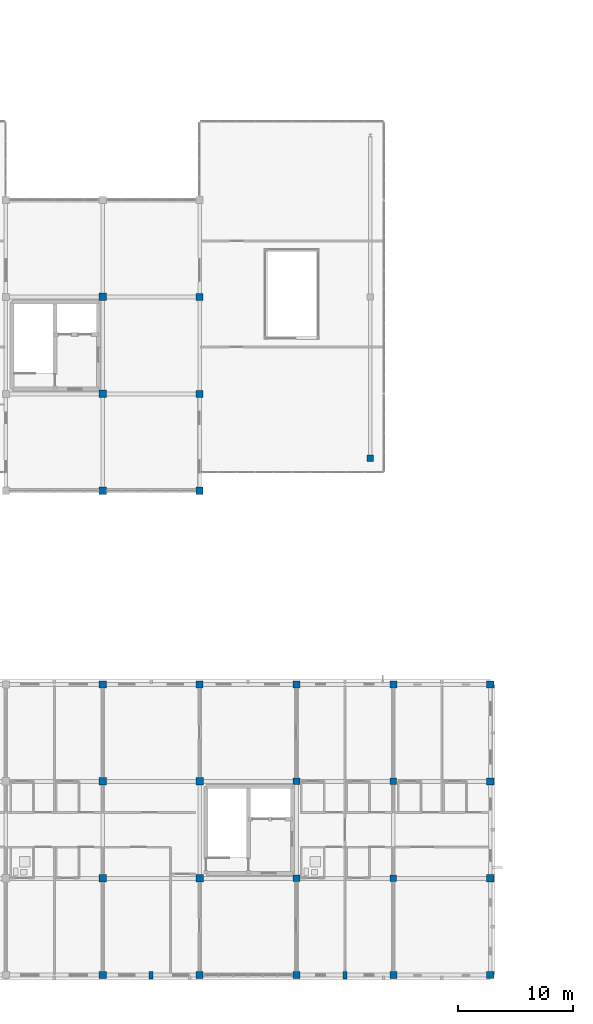
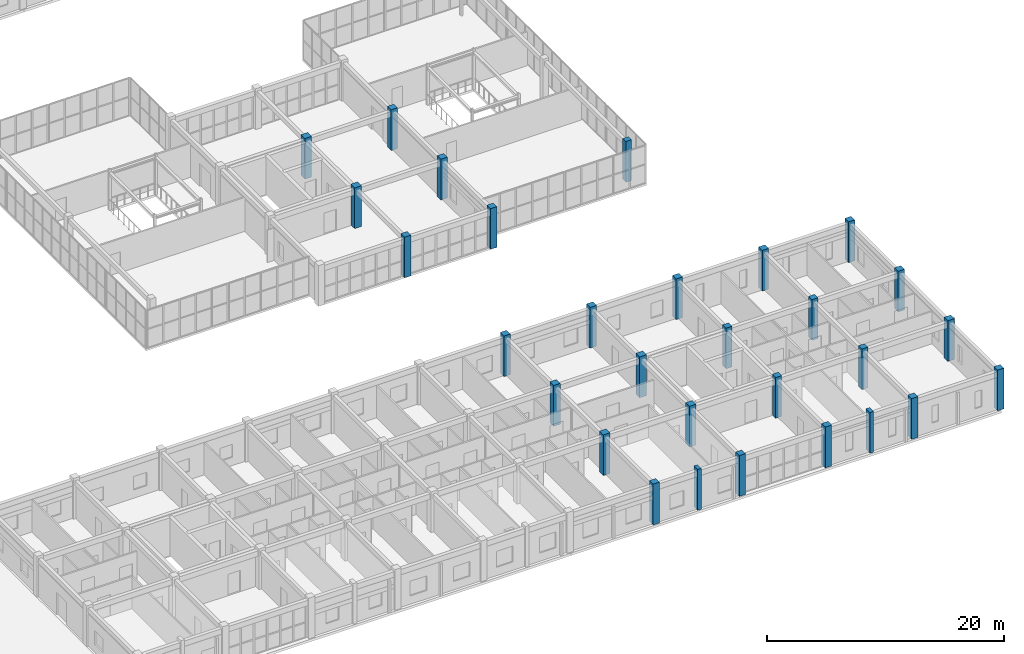
# One storey, part 3 of 81: 29 columns.
"""IFC4 building model written with IfcOpenShell, lengths in metres."""

import ifcopenshell
import ifcopenshell.guid

model = None  # the IFC model being written
_history = None  # IfcOwnerHistory: only IFC2X3 demands one
_inside = {}  # id of a spatial element -> (the spatial element, [elements in it])
_under = {}  # id of a project, library or spatial element -> (it, [spatial elements below it])
_declared = {}  # id of a project -> (the project, [libraries it declares])
_typed = {}  # id of a type object -> (the type object, [elements of that type])
_made_of = {}  # id of a material, layer set ... -> (it, [elements and type objects made of it])


def new_model(schema):
    """Start an empty IFC model of exactly this schema.

    Asked for "IFC4X3", IfcOpenShell would pick the latest addendum, in which some entities
    have other attributes; the version numbers below select the first issue.
    IFC2X3 requires an IfcOwnerHistory on every rooted entity: one is made here for all.
    """
    global model, _history
    if schema == "IFC4X3":
        model = ifcopenshell.file(schema_version=(4, 3, 0, 0))
    else:
        model = ifcopenshell.file(schema=schema)
    _inside.clear()
    _under.clear()
    _declared.clear()
    _typed.clear()
    _made_of.clear()
    _history = None
    if model.schema == "IFC2X3":
        org = make("IfcOrganization", Name="unknown")
        user = make(
            "IfcPersonAndOrganization",
            ThePerson=make("IfcPerson", FamilyName="unknown"),
            TheOrganization=org,
        )
        app = make(
            "IfcApplication",
            ApplicationDeveloper=org,
            Version="unknown",
            ApplicationFullName="unknown",
            ApplicationIdentifier="unknown",
        )
        _history = make(
            "IfcOwnerHistory",
            OwningUser=user,
            OwningApplication=app,
            ChangeAction="ADDED",
            CreationDate=0,
        )
    return model


def make(cls, **values):
    """One entity of the class cls with the attributes given. An attribute that is None is left unset."""
    return model.create_entity(
        cls, **{name: value for name, value in values.items() if value is not None}
    )


def rooted(cls, **values):
    """An entity with a GlobalId (a new one), such as an element, a storey or a relation."""
    return make(cls, GlobalId=ifcopenshell.guid.new(), OwnerHistory=_history, **values)


def si_unit(unit_type, name, prefix=None):
    """IfcSIUnit, for example si_unit("LENGTHUNIT", "METRE", prefix="MILLI")."""
    return make("IfcSIUnit", UnitType=unit_type, Prefix=prefix, Name=name)


def assignment(units):
    """IfcUnitAssignment: the units of a project."""
    return None if units is None else make("IfcUnitAssignment", Units=units)


def point(xyz):
    """IfcCartesianPoint."""
    return None if xyz is None else make("IfcCartesianPoint", Coordinates=xyz)


def direction(xyz):
    """IfcDirection."""
    return None if xyz is None else make("IfcDirection", DirectionRatios=xyz)


def frame(location, z_axis=None, x_axis=None):
    """IfcAxis2Placement3D, a coordinate frame: its origin and axes. An axis left out is left unset."""
    return make(
        "IfcAxis2Placement3D",
        Location=point(location),
        Axis=direction(z_axis),
        RefDirection=direction(x_axis),
    )


def frame_2d(location, x_axis=None):
    """IfcAxis2Placement2D, a coordinate frame in the plane: its origin and x axis."""
    return make(
        "IfcAxis2Placement2D", Location=point(location), RefDirection=direction(x_axis)
    )


def origin():
    """The frame at (0, 0, 0) with its axes left unset."""
    return frame((0.0, 0.0, 0.0))


def origin_2d():
    """The frame at (0, 0) in the plane with its x axis left unset."""
    return frame_2d((0.0, 0.0))


def place(relative_to, where):
    """IfcLocalPlacement: puts the frame where relative to a parent placement (None: the world)."""
    return make(
        "IfcLocalPlacement", PlacementRelTo=relative_to, RelativePlacement=where
    )


def context(
    kind, dimensions, precision=None, world=None, true_north=None, identifier=None
):
    """IfcGeometricRepresentationContext, for example the 3D "Model" context."""
    return make(
        "IfcGeometricRepresentationContext",
        ContextIdentifier=identifier,
        ContextType=kind,
        CoordinateSpaceDimension=dimensions,
        Precision=precision,
        WorldCoordinateSystem=world,
        TrueNorth=true_north,
    )


def subcontext(parent, identifier, kind, view, scale=None):
    """IfcGeometricRepresentationSubContext, for example "Body" below "Model"."""
    return make(
        "IfcGeometricRepresentationSubContext",
        ContextIdentifier=identifier,
        ContextType=kind,
        ParentContext=parent,
        TargetScale=scale,
        TargetView=view,
    )


def project(units=None, contexts=None):
    """IfcProject with its units and contexts."""
    return rooted(
        "IfcProject",
        Name="project",
        RepresentationContexts=contexts,
        UnitsInContext=assignment(units),
    )


def spatial(cls, under=None, at=None, **own):
    """A site, building, storey or space (cls), placed at a placement, below another one or the project."""
    s = rooted(cls, ObjectPlacement=at, **own)
    if under is not None:
        _under.setdefault(under.id(), (under, []))[1].append(s)
    return s


def profile(cls, at=None, kind="AREA", **sizes):
    """A parametric profile (cls). Its sizes go by their IFC names, for example OverallWidth=200.0."""
    return make(cls, ProfileType=kind, Position=at, **sizes)


def rectangle(**sizes):
    """IfcRectangleProfileDef."""
    return profile("IfcRectangleProfileDef", **sizes)


def extrude(swept, where, along, depth):
    """IfcExtrudedAreaSolid: the profile swept, set in the frame where, extruded along a direction by depth."""
    return make(
        "IfcExtrudedAreaSolid",
        SweptArea=swept,
        Position=where,
        ExtrudedDirection=direction(along),
        Depth=depth,
    )


def shape(context_of_items, identifier, shape_type, items):
    """IfcShapeRepresentation: the items that make up one representation, for example the "Body"."""
    return make(
        "IfcShapeRepresentation",
        ContextOfItems=context_of_items,
        RepresentationIdentifier=identifier,
        RepresentationType=shape_type,
        Items=items,
    )


def material(Name=None, Category=None):
    """IfcMaterial."""
    return make("IfcMaterial", Name=Name, Category=Category)


def material_profile(
    of_material, cross_section, Name=None, Category=None, Priority=None
):
    """IfcMaterialProfile: a cross section and its material."""
    return make(
        "IfcMaterialProfile",
        Name=Name,
        Material=of_material,
        Profile=cross_section,
        Priority=Priority,
        Category=Category,
    )


def profile_set(profiles, Name=None, composite=None):
    """IfcMaterialProfileSet."""
    return make(
        "IfcMaterialProfileSet",
        Name=Name,
        MaterialProfiles=profiles,
        CompositeProfile=composite,
    )


def made_of(thing, what):
    """Note that an element or type object is made of a material, layer set ...; save() writes the relation."""
    if what is not None:
        _made_of.setdefault(what.id(), (what, []))[1].append(thing)
    return thing


def type_object(cls, material=None, **own):
    """A type object (cls), such as IfcWallType, which elements share."""
    return made_of(rooted(cls, **own), material)


def element(
    cls,
    number,
    at=None,
    inside=None,
    cuts=None,
    type_object=None,
    material=None,
    context=None,
    identifier="Body",
    shape_type=None,
    held_by="IfcProductDefinitionShape",
    body=None,
    shapes=None,
    **own,
):
    """One element of the class cls, such as IfcWall. Its Tag is "e" and its number.

    at: its placement. inside: the storey or other place that contains it. cuts: it is an
    opening in that element (IfcRelVoidsElement). A single representation is given by context,
    identifier, shape_type and body (its items); several are given by shapes. held_by: the class
    of the entity that holds the representations. save() writes the other relations.
    """
    e = rooted(cls, Tag="e%d" % number, ObjectPlacement=at, **own)
    if body is not None:
        shapes = [shape(context, identifier, shape_type, body)]
    if shapes is not None:
        e.Representation = make(held_by, Representations=shapes)
    if inside is not None:
        _inside.setdefault(inside.id(), (inside, []))[1].append(e)
    if cuts is not None:
        rooted(
            "IfcRelVoidsElement", RelatingBuildingElement=cuts, RelatedOpeningElement=e
        )
    if type_object is not None:
        _typed.setdefault(type_object.id(), (type_object, []))[1].append(e)
    return made_of(e, material)


def aggregate(whole, parts):
    """IfcRelAggregates: a whole, such as a stair, and the parts it consists of."""
    return rooted("IfcRelAggregates", RelatingObject=whole, RelatedObjects=parts)


def save(model, path):
    """Write the relations noted so far, then the file.

    IfcRelAggregates (storeys below a building ...), IfcRelContainedInSpatialStructure (elements
    in a storey), IfcRelDefinesByType, IfcRelAssociatesMaterial and IfcRelDeclares: one each for
    every whole, place, type object, material and project.
    """
    for whole, parts in _under.values():
        aggregate(whole, parts)
    for where, things in _inside.values():
        rooted(
            "IfcRelContainedInSpatialStructure",
            RelatedElements=things,
            RelatingStructure=where,
        )
    for kind, things in _typed.values():
        rooted("IfcRelDefinesByType", RelatedObjects=things, RelatingType=kind)
    for what, things in _made_of.values():
        rooted("IfcRelAssociatesMaterial", RelatedObjects=things, RelatingMaterial=what)
    for by, libraries in _declared.values():
        rooted("IfcRelDeclares", RelatingContext=by, RelatedDefinitions=libraries)
    model.write(path)


model = new_model("IFC4")

# Units and contexts
model_context = context("Model", 3, precision=1e-05, world=origin(), true_north=direction((0.0, 1.0)))
body_context = subcontext(model_context, "Body", "Model", "MODEL_VIEW")
ifc_project = project(units=[si_unit("LENGTHUNIT", "METRE"), si_unit("AREAUNIT", "SQUARE_METRE"), si_unit("VOLUMEUNIT", "CUBIC_METRE"), si_unit("PLANEANGLEUNIT", "RADIAN"), si_unit("MASSUNIT", "GRAM", prefix="KILO")], contexts=[model_context])

# Site, building, storey
site_placement = place(None, origin())
site = spatial("IfcSite", under=ifc_project, at=site_placement, CompositionType="ELEMENT")
building_placement = place(site_placement, origin())
building = spatial("IfcBuilding", under=site, at=building_placement, Name="Trelvath General Hospital", CompositionType="ELEMENT")
storey_placement = place(building_placement, frame((0.0, 0.0, 24.60009765625)))
storey = spatial("IfcBuildingStorey", under=building, at=storey_placement, Name="L06", CompositionType="ELEMENT", Elevation=24.60009765625)

# Columns
ifc_material_1 = material(Name="Concrete C40/50", Category="concrete")
ifc_material_profile_1 = material_profile(ifc_material_1, rectangle(XDim=0.550048828125, YDim=0.550048828125, at=origin_2d()), Name="RC550x550")
ifc_profile_set_1 = profile_set([ifc_material_profile_1], Name="Concrete C40/50")
column_type_1 = type_object("IfcColumnType", Name="Column RC550", PredefinedType="COLUMN", material=ifc_profile_set_1)
column_placement = place(storey_placement, frame((107.199951171875, 44.800048828125, 0.0), z_axis=(0.0, 0.0, 1.0), x_axis=(1.0, 0.0, 0.0)))
element("IfcColumn", 1, at=column_placement, inside=storey, type_object=column_type_1, Name="Cube Interior Column CC-E01 L06", PredefinedType="COLUMN", context=body_context, shape_type="SweptSolid", body=[
    extrude(rectangle(XDim=0.550048828125, YDim=0.550048828125, at=origin_2d()), origin(), (0.0, 0.0, 1.0), 4.199951171875),
])
ifc_material_2 = material(Name="Concrete C40/50", Category="concrete")
ifc_material_profile_2 = material_profile(ifc_material_2, rectangle(XDim=0.580078125, YDim=0.580078125, at=origin_2d()), Name="RC580x580")
ifc_profile_set_2 = profile_set([ifc_material_profile_2], Name="Concrete C40/50")
column_type_2 = type_object("IfcColumnType", Name="Column RC580", PredefinedType="COLUMN", material=ifc_profile_set_2)
for number, where, z_axis, x_axis, name in (
    (2, (100.800048828125, 8.39990234375, 0.0), (0.0, 0.0, 1.0), (1.0, 0.0, 0.0), "Column C-13B L06"),
    (3, (100.800048828125, 16.800048828125, 0.0), (0.0, 0.0, 1.0), (1.0, 0.0, 0.0), "Column C-13C L06"),
    (4, (109.199951171875, 8.39990234375, 0.0), (0.0, 0.0, 1.0), (1.0, 0.0, 0.0), "Column C-14B L06"),
    (5, (109.199951171875, 16.800048828125, 0.0), (0.0, 0.0, 1.0), (1.0, 0.0, 0.0), "Column C-14C L06"),
):
    element("IfcColumn", number, at=place(storey_placement, frame(where, z_axis=z_axis, x_axis=x_axis)), inside=storey, type_object=column_type_2, Name=name, PredefinedType="COLUMN", context=body_context, shape_type="SweptSolid", body=[
        extrude(rectangle(XDim=0.580078125, YDim=0.580078125, at=origin_2d()), origin(), (0.0, 0.0, 1.0), 4.199951171875),
    ])
ifc_material_3 = material(Name="Concrete C40/50", Category="concrete")
ifc_material_profile_3 = material_profile(ifc_material_3, rectangle(XDim=0.6201171875, YDim=0.6201171875, at=origin_2d()), Name="RC620x620")
ifc_profile_set_3 = profile_set([ifc_material_profile_3], Name="Concrete C40/50")
column_type_3 = type_object("IfcColumnType", Name="Column RC620", PredefinedType="COLUMN", material=ifc_profile_set_3)
for number, where, z_axis, x_axis, name in (
    (6, (84.0, 0.0, 0.0), (0.0, 0.0, 1.0), (1.0, 0.0, 0.0), "Column C-11A L06"),
    (7, (84.0, 25.199951171875, 0.0), (0.0, 0.0, 1.0), (1.0, 0.0, 0.0), "Column C-11D L06"),
    (8, (84.0, 42.0, 0.0), (0.0, 0.0, 1.0), (1.0, 0.0, 0.0), "Column C-11F L06"),
    (9, (92.39990234375, 0.0, 0.0), (0.0, 0.0, 1.0), (1.0, 0.0, 0.0), "Column C-12A L06"),
    (10, (92.39990234375, 25.199951171875, 0.0), (0.0, 0.0, 1.0), (1.0, 0.0, 0.0), "Column C-12D L06"),
    (11, (92.39990234375, 42.0, 0.0), (0.0, 0.0, 1.0), (1.0, 0.0, 0.0), "Column C-12F L06"),
    (12, (92.39990234375, 50.39990234375, 0.0), (0.0, 0.0, 1.0), (1.0, 0.0, 0.0), "Column C-12G L06"),
    (13, (92.39990234375, 58.800048828125, 0.0), (0.0, 0.0, 1.0), (1.0, 0.0, 0.0), "Column C-12H L06"),
    (14, (100.800048828125, 0.0, 0.0), (0.0, 0.0, 1.0), (1.0, 0.0, 0.0), "Column C-13A L06"),
    (15, (100.800048828125, 25.199951171875, 0.0), (0.0, 0.0, 1.0), (1.0, 0.0, 0.0), "Column C-13D L06"),
    (16, (109.199951171875, 0.0, 0.0), (0.0, 0.0, 1.0), (1.0, 0.0, 0.0), "Column C-14A L06"),
    (17, (109.199951171875, 25.199951171875, 0.0), (0.0, 0.0, 1.0), (1.0, 0.0, 0.0), "Column C-14D L06"),
    (18, (117.60009765625, 0.0, 0.0), (0.0, 0.0, 1.0), (1.0, 0.0, 0.0), "Column C-15A L06"),
    (19, (117.60009765625, 8.39990234375, 0.0), (0.0, 0.0, 1.0), (1.0, 0.0, 0.0), "Column C-15B L06"),
    (20, (117.60009765625, 16.800048828125, 0.0), (0.0, 0.0, 1.0), (1.0, 0.0, 0.0), "Column C-15C L06"),
    (21, (117.60009765625, 25.199951171875, 0.0), (0.0, 0.0, 1.0), (1.0, 0.0, 0.0), "Column C-15D L06"),
):
    element("IfcColumn", number, at=place(storey_placement, frame(where, z_axis=z_axis, x_axis=x_axis)), inside=storey, type_object=column_type_3, Name=name, PredefinedType="COLUMN", context=body_context, shape_type="SweptSolid", body=[
        extrude(rectangle(XDim=0.6201171875, YDim=0.6201171875, at=origin_2d()), origin(), (0.0, 0.0, 1.0), 4.199951171875),
    ])
ifc_material_4 = material(Name="Concrete C40/50", Category="concrete")
ifc_material_profile_4 = material_profile(ifc_material_4, rectangle(XDim=0.64990234375, YDim=0.64990234375, at=origin_2d()), Name="RC650x650")
ifc_profile_set_4 = profile_set([ifc_material_profile_4], Name="Concrete C40/50")
column_type_4 = type_object("IfcColumnType", Name="Column RC650", PredefinedType="COLUMN", material=ifc_profile_set_4)
for number, where, z_axis, x_axis, name in (
    (22, (84.0, 8.39990234375, 0.0), (0.0, 0.0, 1.0), (1.0, 0.0, 0.0), "Column C-11B L06"),
    (23, (84.0, 16.800048828125, 0.0), (0.0, 0.0, 1.0), (1.0, 0.0, 0.0), "Column C-11C L06"),
    (24, (84.0, 50.39990234375, 0.0), (0.0, 0.0, 1.0), (1.0, 0.0, 0.0), "Column C-11G L06"),
    (25, (84.0, 58.800048828125, 0.0), (0.0, 0.0, 1.0), (1.0, 0.0, 0.0), "Column C-11H L06"),
    (26, (92.39990234375, 8.39990234375, 0.0), (0.0, 0.0, 1.0), (1.0, 0.0, 0.0), "Column C-12B L06"),
    (27, (92.39990234375, 16.800048828125, 0.0), (0.0, 0.0, 1.0), (1.0, 0.0, 0.0), "Column C-12C L06"),
):
    element("IfcColumn", number, at=place(storey_placement, frame(where, z_axis=z_axis, x_axis=x_axis)), inside=storey, type_object=column_type_4, Name=name, PredefinedType="COLUMN", context=body_context, shape_type="SweptSolid", body=[
        extrude(rectangle(XDim=0.64990234375, YDim=0.64990234375, at=origin_2d()), origin(), (0.0, 0.0, 1.0), 4.199951171875),
    ])
ifc_material_5 = material(Name="Concrete C40/50", Category="concrete")
ifc_material_profile_5 = material_profile(ifc_material_5, rectangle(XDim=0.35009765625, YDim=0.64990234375, at=origin_2d()), Name="RC350x650")
ifc_profile_set_5 = profile_set([ifc_material_profile_5], Name="Concrete C40/50")
column_type_5 = type_object("IfcColumnType", Name="Pilaster RC350x650", PredefinedType="PILASTER", material=ifc_profile_set_5)
for number, where, z_axis, x_axis, name in (
    (28, (88.199951171875, 0.0, 0.0), (0.0, 0.0, 1.0), (1.0, 0.0, 0.0), "Facade Pilaster PL-S10 L06"),
    (29, (105.0, 0.0, 0.0), (0.0, 0.0, 1.0), (1.0, 0.0, 0.0), "Facade Pilaster PL-S12 L06"),
):
    element("IfcColumn", number, at=place(storey_placement, frame(where, z_axis=z_axis, x_axis=x_axis)), inside=storey, type_object=column_type_5, Name=name, PredefinedType="PILASTER", context=body_context, shape_type="SweptSolid", body=[
        extrude(rectangle(XDim=0.35009765625, YDim=0.64990234375, at=origin_2d()), origin(), (0.0, 0.0, 1.0), 4.199951171875),
    ])

save(model, "model.ifc")
